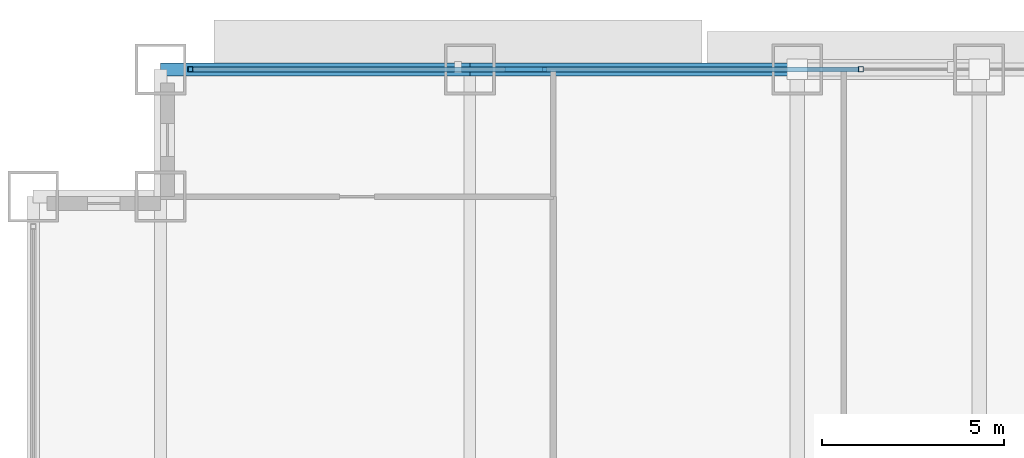
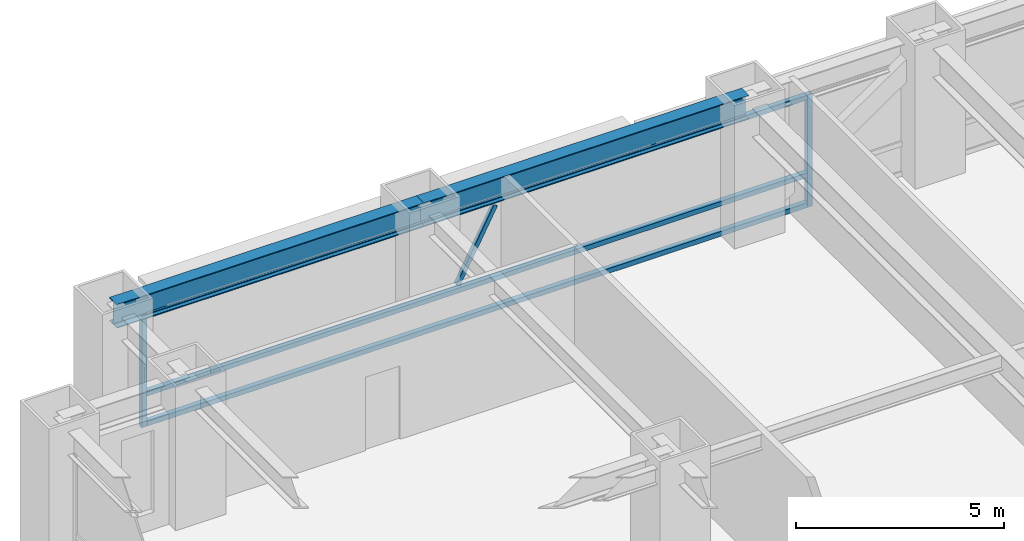
# One storey, part 19 of 31: 6 members, 2 beams, 1 element without a shape of its own.
"""IFC4 building model written with IfcOpenShell, lengths in metres."""

import ifcopenshell
import ifcopenshell.guid

model = None  # the IFC model being written
_history = None  # IfcOwnerHistory: only IFC2X3 demands one
_inside = {}  # id of a spatial element -> (the spatial element, [elements in it])
_under = {}  # id of a project, library or spatial element -> (it, [spatial elements below it])
_declared = {}  # id of a project -> (the project, [libraries it declares])
_typed = {}  # id of a type object -> (the type object, [elements of that type])
_made_of = {}  # id of a material, layer set ... -> (it, [elements and type objects made of it])


def new_model(schema):
    """Start an empty IFC model of exactly this schema.

    Asked for "IFC4X3", IfcOpenShell would pick the latest addendum, in which some entities
    have other attributes; the version numbers below select the first issue.
    IFC2X3 requires an IfcOwnerHistory on every rooted entity: one is made here for all.
    """
    global model, _history
    if schema == "IFC4X3":
        model = ifcopenshell.file(schema_version=(4, 3, 0, 0))
    else:
        model = ifcopenshell.file(schema=schema)
    _inside.clear()
    _under.clear()
    _declared.clear()
    _typed.clear()
    _made_of.clear()
    _history = None
    if model.schema == "IFC2X3":
        org = make("IfcOrganization", Name="unknown")
        user = make(
            "IfcPersonAndOrganization",
            ThePerson=make("IfcPerson", FamilyName="unknown"),
            TheOrganization=org,
        )
        app = make(
            "IfcApplication",
            ApplicationDeveloper=org,
            Version="unknown",
            ApplicationFullName="unknown",
            ApplicationIdentifier="unknown",
        )
        _history = make(
            "IfcOwnerHistory",
            OwningUser=user,
            OwningApplication=app,
            ChangeAction="ADDED",
            CreationDate=0,
        )
    return model


def make(cls, **values):
    """One entity of the class cls with the attributes given. An attribute that is None is left unset."""
    return model.create_entity(
        cls, **{name: value for name, value in values.items() if value is not None}
    )


def rooted(cls, **values):
    """An entity with a GlobalId (a new one), such as an element, a storey or a relation."""
    return make(cls, GlobalId=ifcopenshell.guid.new(), OwnerHistory=_history, **values)


def si_unit(unit_type, name, prefix=None):
    """IfcSIUnit, for example si_unit("LENGTHUNIT", "METRE", prefix="MILLI")."""
    return make("IfcSIUnit", UnitType=unit_type, Prefix=prefix, Name=name)


def assignment(units):
    """IfcUnitAssignment: the units of a project."""
    return None if units is None else make("IfcUnitAssignment", Units=units)


def point(xyz):
    """IfcCartesianPoint."""
    return None if xyz is None else make("IfcCartesianPoint", Coordinates=xyz)


def direction(xyz):
    """IfcDirection."""
    return None if xyz is None else make("IfcDirection", DirectionRatios=xyz)


def frame(location, z_axis=None, x_axis=None):
    """IfcAxis2Placement3D, a coordinate frame: its origin and axes. An axis left out is left unset."""
    return make(
        "IfcAxis2Placement3D",
        Location=point(location),
        Axis=direction(z_axis),
        RefDirection=direction(x_axis),
    )


def frame_2d(location, x_axis=None):
    """IfcAxis2Placement2D, a coordinate frame in the plane: its origin and x axis."""
    return make(
        "IfcAxis2Placement2D", Location=point(location), RefDirection=direction(x_axis)
    )


def origin():
    """The frame at (0, 0, 0) with its axes left unset."""
    return frame((0.0, 0.0, 0.0))


def origin_2d():
    """The frame at (0, 0) in the plane with its x axis left unset."""
    return frame_2d((0.0, 0.0))


def place(relative_to, where):
    """IfcLocalPlacement: puts the frame where relative to a parent placement (None: the world)."""
    return make(
        "IfcLocalPlacement", PlacementRelTo=relative_to, RelativePlacement=where
    )


def context(
    kind, dimensions, precision=None, world=None, true_north=None, identifier=None
):
    """IfcGeometricRepresentationContext, for example the 3D "Model" context."""
    return make(
        "IfcGeometricRepresentationContext",
        ContextIdentifier=identifier,
        ContextType=kind,
        CoordinateSpaceDimension=dimensions,
        Precision=precision,
        WorldCoordinateSystem=world,
        TrueNorth=true_north,
    )


def subcontext(parent, identifier, kind, view, scale=None):
    """IfcGeometricRepresentationSubContext, for example "Body" below "Model"."""
    return make(
        "IfcGeometricRepresentationSubContext",
        ContextIdentifier=identifier,
        ContextType=kind,
        ParentContext=parent,
        TargetScale=scale,
        TargetView=view,
    )


def project(units=None, contexts=None):
    """IfcProject with its units and contexts."""
    return rooted(
        "IfcProject",
        Name="project",
        RepresentationContexts=contexts,
        UnitsInContext=assignment(units),
    )


def spatial(cls, under=None, at=None, **own):
    """A site, building, storey or space (cls), placed at a placement, below another one or the project."""
    s = rooted(cls, ObjectPlacement=at, **own)
    if under is not None:
        _under.setdefault(under.id(), (under, []))[1].append(s)
    return s


def profile(cls, at=None, kind="AREA", **sizes):
    """A parametric profile (cls). Its sizes go by their IFC names, for example OverallWidth=200.0."""
    return make(cls, ProfileType=kind, Position=at, **sizes)


def hollow_rectangle(**sizes):
    """IfcRectangleHollowProfileDef."""
    return profile("IfcRectangleHollowProfileDef", **sizes)


def i_section(**sizes):
    """IfcIShapeProfileDef."""
    return profile("IfcIShapeProfileDef", **sizes)


def extrude(swept, where, along, depth):
    """IfcExtrudedAreaSolid: the profile swept, set in the frame where, extruded along a direction by depth."""
    return make(
        "IfcExtrudedAreaSolid",
        SweptArea=swept,
        Position=where,
        ExtrudedDirection=direction(along),
        Depth=depth,
    )


def shape(context_of_items, identifier, shape_type, items):
    """IfcShapeRepresentation: the items that make up one representation, for example the "Body"."""
    return make(
        "IfcShapeRepresentation",
        ContextOfItems=context_of_items,
        RepresentationIdentifier=identifier,
        RepresentationType=shape_type,
        Items=items,
    )


def source(mapping_origin, context_of_items, identifier, shape_type, items):
    """IfcRepresentationMap: a shape defined once, which mapped items show again and again."""
    return make(
        "IfcRepresentationMap",
        MappingOrigin=mapping_origin,
        MappedRepresentation=shape(context_of_items, identifier, shape_type, items),
    )


def transform(
    local_origin,
    x_axis=None,
    y_axis=None,
    z_axis=None,
    scale=None,
    scale2=None,
    scale3=None,
    uniform=True,
):
    """IfcCartesianTransformationOperator3D, or its non-uniform kind. x_axis, y_axis, z_axis: its Axis1, 2, 3."""
    if uniform:
        return make(
            "IfcCartesianTransformationOperator3D",
            Axis1=direction(x_axis),
            Axis2=direction(y_axis),
            LocalOrigin=point(local_origin),
            Scale=scale,
            Axis3=direction(z_axis),
        )
    return make(
        "IfcCartesianTransformationOperator3DnonUniform",
        Axis1=direction(x_axis),
        Axis2=direction(y_axis),
        LocalOrigin=point(local_origin),
        Scale=scale,
        Axis3=direction(z_axis),
        Scale2=scale2,
        Scale3=scale3,
    )


def mapped(mapping_source, mapping_target):
    """IfcMappedItem: shows the shape of a source again, moved by a transform."""
    return make(
        "IfcMappedItem", MappingSource=mapping_source, MappingTarget=mapping_target
    )


def material(Name=None, Category=None):
    """IfcMaterial."""
    return make("IfcMaterial", Name=Name, Category=Category)


def material_profile(
    of_material, cross_section, Name=None, Category=None, Priority=None
):
    """IfcMaterialProfile: a cross section and its material."""
    return make(
        "IfcMaterialProfile",
        Name=Name,
        Material=of_material,
        Profile=cross_section,
        Priority=Priority,
        Category=Category,
    )


def profile_set(profiles, Name=None, composite=None):
    """IfcMaterialProfileSet."""
    return make(
        "IfcMaterialProfileSet",
        Name=Name,
        MaterialProfiles=profiles,
        CompositeProfile=composite,
    )


def made_of(thing, what):
    """Note that an element or type object is made of a material, layer set ...; save() writes the relation."""
    if what is not None:
        _made_of.setdefault(what.id(), (what, []))[1].append(thing)
    return thing


def type_object(cls, material=None, **own):
    """A type object (cls), such as IfcWallType, which elements share."""
    return made_of(rooted(cls, **own), material)


def element(
    cls,
    number,
    at=None,
    inside=None,
    cuts=None,
    type_object=None,
    material=None,
    context=None,
    identifier="Body",
    shape_type=None,
    held_by="IfcProductDefinitionShape",
    body=None,
    shapes=None,
    **own,
):
    """One element of the class cls, such as IfcWall. Its Tag is "e" and its number.

    at: its placement. inside: the storey or other place that contains it. cuts: it is an
    opening in that element (IfcRelVoidsElement). A single representation is given by context,
    identifier, shape_type and body (its items); several are given by shapes. held_by: the class
    of the entity that holds the representations. save() writes the other relations.
    """
    e = rooted(cls, Tag="e%d" % number, ObjectPlacement=at, **own)
    if body is not None:
        shapes = [shape(context, identifier, shape_type, body)]
    if shapes is not None:
        e.Representation = make(held_by, Representations=shapes)
    if inside is not None:
        _inside.setdefault(inside.id(), (inside, []))[1].append(e)
    if cuts is not None:
        rooted(
            "IfcRelVoidsElement", RelatingBuildingElement=cuts, RelatedOpeningElement=e
        )
    if type_object is not None:
        _typed.setdefault(type_object.id(), (type_object, []))[1].append(e)
    return made_of(e, material)


def aggregate(whole, parts):
    """IfcRelAggregates: a whole, such as a stair, and the parts it consists of."""
    return rooted("IfcRelAggregates", RelatingObject=whole, RelatedObjects=parts)


def save(model, path):
    """Write the relations noted so far, then the file.

    IfcRelAggregates (storeys below a building ...), IfcRelContainedInSpatialStructure (elements
    in a storey), IfcRelDefinesByType, IfcRelAssociatesMaterial and IfcRelDeclares: one each for
    every whole, place, type object, material and project.
    """
    for whole, parts in _under.values():
        aggregate(whole, parts)
    for where, things in _inside.values():
        rooted(
            "IfcRelContainedInSpatialStructure",
            RelatedElements=things,
            RelatingStructure=where,
        )
    for kind, things in _typed.values():
        rooted("IfcRelDefinesByType", RelatedObjects=things, RelatingType=kind)
    for what, things in _made_of.values():
        rooted("IfcRelAssociatesMaterial", RelatedObjects=things, RelatingMaterial=what)
    for by, libraries in _declared.values():
        rooted("IfcRelDeclares", RelatingContext=by, RelatedDefinitions=libraries)
    model.write(path)


model = new_model("IFC4")

# Units and contexts
model_context = context("Model", 3, precision=1e-05, world=origin(), true_north=direction((0.0, 1.0)))
body_context = subcontext(model_context, "Body", "Model", "MODEL_VIEW")
ifc_project = project(units=[si_unit("LENGTHUNIT", "METRE"), si_unit("AREAUNIT", "SQUARE_METRE"), si_unit("VOLUMEUNIT", "CUBIC_METRE"), si_unit("PLANEANGLEUNIT", "RADIAN"), si_unit("MASSUNIT", "GRAM", prefix="KILO")], contexts=[model_context])

# Site, building, storey
site_placement = place(None, origin())
site = spatial("IfcSite", under=ifc_project, at=site_placement, CompositionType="ELEMENT")
building_placement = place(site_placement, origin())
building = spatial("IfcBuilding", under=site, at=building_placement, Name="Khorayat Bourse Tower", CompositionType="ELEMENT")
storey_placement = place(building_placement, frame((0.0, 0.0, 32.60009765625)))
storey = spatial("IfcBuildingStorey", under=building, at=storey_placement, Name="L06", CompositionType="ELEMENT", Elevation=32.60009765625)

# Beams
ifc_material_1 = material(Name="Steel ASTM A992 Grade 50", Category="steel")
ifc_material_profile_1 = material_profile(ifc_material_1, i_section(OverallWidth=0.35498046875, OverallDepth=0.695068359375, WebThickness=0.015380859375, FlangeThickness=0.02490234375, FilletRadius=0.01806640625, at=origin_2d()), Name="W690X217")
ifc_profile_set_1 = profile_set([ifc_material_profile_1], Name="Steel ASTM A992 Grade 50")
beam_type = type_object("IfcBeamType", Name="BM-SPAN-690", PredefinedType="SPANDREL", material=ifc_profile_set_1)
shared_shape_1 = source(origin(), body_context, "Body", "SweptSolid", [
    extrude(i_section(OverallWidth=0.35498046875, OverallDepth=0.695068359375, WebThickness=0.015380859375, FlangeThickness=0.02490234375, FilletRadius=0.01806640625, at=origin_2d()), origin(), (0.0, 0.0, 1.0), 8.5),
])
beam_1_placement = place(storey_placement, frame((-28.5, 32.0, 3.59228515625), z_axis=(1.0, 0.0, 0.0), x_axis=(0.0, 1.0, 0.0)))
element("IfcBeam", 1, at=beam_1_placement, inside=storey, type_object=beam_type, Name="L06 BM-SPAN-690 BM-L06-SPN-051", PredefinedType="SPANDREL", context=body_context, shape_type="MappedRepresentation", body=[
    mapped(shared_shape_1, transform((0.0, 0.0, 0.0), scale=1.0)),
])
shared_shape_2 = source(origin(), body_context, "Body", "SweptSolid", [
    extrude(i_section(OverallWidth=0.35498046875, OverallDepth=0.695068359375, WebThickness=0.015380859375, FlangeThickness=0.02490234375, FilletRadius=0.01806640625, at=origin_2d()), origin(), (0.0, 0.0, 1.0), 9.0),
])
beam_2_placement = place(storey_placement, frame((-20.0, 32.0, 3.59228515625), z_axis=(1.0, 0.0, 0.0), x_axis=(0.0, 1.0, 0.0)))
element("IfcBeam", 2, at=beam_2_placement, inside=storey, type_object=beam_type, Name="L06 BM-SPAN-690 BM-L06-SPN-050", PredefinedType="SPANDREL", context=body_context, shape_type="MappedRepresentation", body=[
    mapped(shared_shape_2, transform((0.0, 0.0, 0.0), scale=1.0)),
])

# Curtain wall, members
ifc_material_2 = material(Name="Aluminium EN AW-6063 T6", Category="aluminium")
curtain_wall_type = type_object("IfcCurtainWallType", Name="CW-SYS-02", PredefinedType="NOTDEFINED", material=ifc_material_2)
curtain_wall_placement = place(storey_placement, origin())
curtain_wall = element("IfcCurtainWall", 3, at=curtain_wall_placement, inside=storey, type_object=curtain_wall_type, Name="L06 Curtain Wall CW-L06-N1", PredefinedType="NOTDEFINED")
ifc_material_profile_2 = material_profile(ifc_material_2, hollow_rectangle(XDim=0.139892578125, YDim=0.139892578125, WallThickness=0.006103515625, at=origin_2d()), Name="ALU 140x140x6")
ifc_profile_set_2 = profile_set([ifc_material_profile_2], Name="Aluminium EN AW-6063 T6")
member_type_1 = type_object("IfcMemberType", Name="CWM-VERT-140", PredefinedType="MULLION", material=ifc_profile_set_2)
shared_shape_3 = source(origin(), body_context, "Body", "SweptSolid", [
    extrude(hollow_rectangle(XDim=0.139892578125, YDim=0.139892578125, WallThickness=0.006103515625, at=origin_2d()), origin(), (0.0, 0.0, 1.0), 3.289794921875),
])
member_1_placement = place(storey_placement, frame((-27.679931640625, 32.0, 0.0), z_axis=(0.0, 0.0, 1.0), x_axis=(0.0, 1.0, 0.0)))
member_1 = element("IfcMember", 4, at=member_1_placement, type_object=member_type_1, Name="CW-L06-N1 Vertical Mullion 1", PredefinedType="MULLION", context=body_context, shape_type="MappedRepresentation", body=[
    mapped(shared_shape_3, transform((0.0, 0.0, 0.0), scale=1.0)),
])
member_2_placement = place(storey_placement, frame((-9.25, 32.0, 0.0), z_axis=(0.0, 0.0, 1.0), x_axis=(0.0, 1.0, 0.0)))
member_2 = element("IfcMember", 5, at=member_2_placement, type_object=member_type_1, Name="CW-L06-N1 Vertical Mullion 2", PredefinedType="MULLION", context=body_context, shape_type="MappedRepresentation", body=[
    mapped(shared_shape_3, transform((0.0, 0.0, 0.0), scale=1.0)),
])
ifc_material_profile_3 = material_profile(ifc_material_2, hollow_rectangle(XDim=0.139892578125, YDim=0.139892578125, WallThickness=0.006103515625, at=origin_2d()), Name="ALU 140x140x6")
ifc_profile_set_3 = profile_set([ifc_material_profile_3], Name="Aluminium EN AW-6063 T6")
member_type_2 = type_object("IfcMemberType", Name="CWT-HORZ-140", PredefinedType="USERDEFINED", material=ifc_profile_set_3)
shared_shape_4 = source(origin(), body_context, "Body", "SweptSolid", [
    extrude(hollow_rectangle(XDim=0.139892578125, YDim=0.139892578125, WallThickness=0.006103515625, at=origin_2d()), origin(), (0.0, 0.0, 1.0), 18.2900390625),
])
member_3_placement = place(storey_placement, frame((-27.610107421875, 32.0, 0.06982421875), z_axis=(1.0, 0.0, 0.0), x_axis=(0.0, 1.0, 0.0)))
member_3 = element("IfcMember", 6, at=member_3_placement, type_object=member_type_2, Name="CW-L06-N1 Horizontal Transom 1-1", ObjectType="TRANSOM", PredefinedType="USERDEFINED", context=body_context, shape_type="MappedRepresentation", body=[
    mapped(shared_shape_4, transform((0.0, 0.0, 0.0), scale=1.0)),
])
member_4_placement = place(storey_placement, frame((-27.610107421875, 32.0, 0.949951171875), z_axis=(1.0, 0.0, 0.0), x_axis=(0.0, 1.0, 0.0)))
member_4 = element("IfcMember", 7, at=member_4_placement, type_object=member_type_2, Name="CW-L06-N1 Horizontal Transom 1-2", ObjectType="TRANSOM", PredefinedType="USERDEFINED", context=body_context, shape_type="MappedRepresentation", body=[
    mapped(shared_shape_4, transform((0.0, 0.0, 0.0), scale=1.0)),
])
member_5_placement = place(storey_placement, frame((-27.610107421875, 32.0, 3.219970703125), z_axis=(1.0, 0.0, 0.0), x_axis=(0.0, 1.0, 0.0)))
member_5 = element("IfcMember", 8, at=member_5_placement, type_object=member_type_2, Name="CW-L06-N1 Horizontal Transom 1-3", ObjectType="TRANSOM", PredefinedType="USERDEFINED", context=body_context, shape_type="MappedRepresentation", body=[
    mapped(shared_shape_4, transform((0.0, 0.0, 0.0), scale=1.0)),
])
ifc_material_profile_4 = material_profile(ifc_material_2, hollow_rectangle(XDim=0.1201171875, YDim=0.1201171875, WallThickness=0.0048828125, at=origin_2d()), Name="ALU 120x120x5")
ifc_profile_set_4 = profile_set([ifc_material_profile_4], Name="Aluminium EN AW-6063 T6")
member_type_3 = type_object("IfcMemberType", Name="CWM-DIAG-120", PredefinedType="MULLION", material=ifc_profile_set_4)
shared_shape_5 = source(origin(), body_context, "Body", "SweptSolid", [
    extrude(hollow_rectangle(XDim=0.1201171875, YDim=0.1201171875, WallThickness=0.0048828125, at=origin_2d()), origin(), (0.0, 0.0, 1.0), 2.22607421875),
])
member_6_placement = place(storey_placement, frame((-18.9833984375, 32.0, 1.099853515625), z_axis=(0.465759992596, 0.0, 0.884911085532), x_axis=(0.0, 1.0, 0.0)))
member_6 = element("IfcMember", 9, at=member_6_placement, type_object=member_type_3, Name="CW-L06-N1 Faceted Diagonal Mullion 1", PredefinedType="MULLION", context=body_context, shape_type="MappedRepresentation", body=[
    mapped(shared_shape_5, transform((0.0, 0.0, 0.0), scale=1.0)),
])
aggregate(curtain_wall, [member_1, member_2, member_3, member_4, member_5, member_6])

save(model, "model.ifc")
